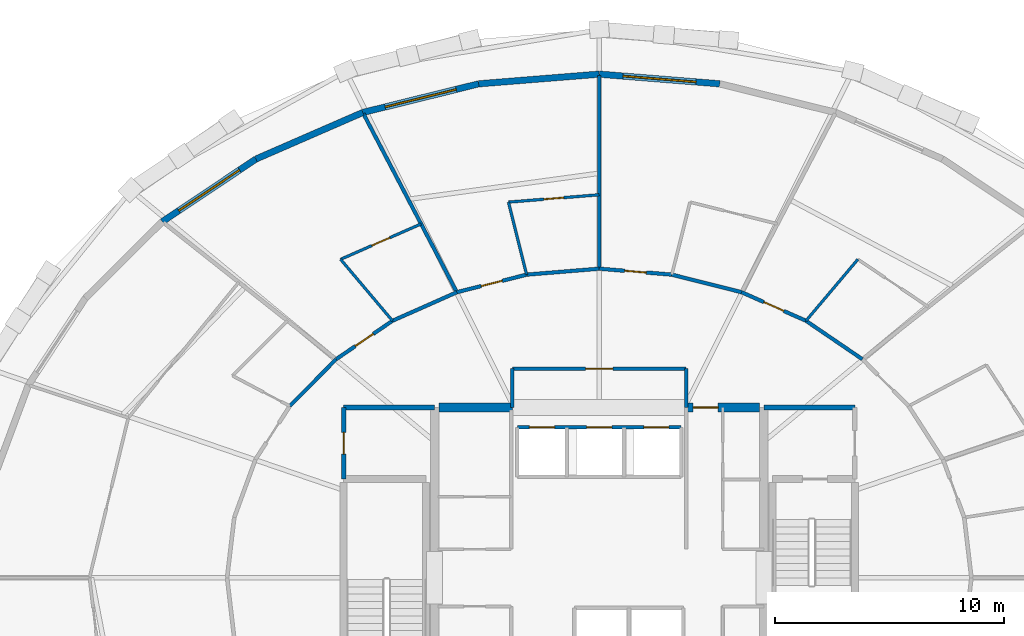
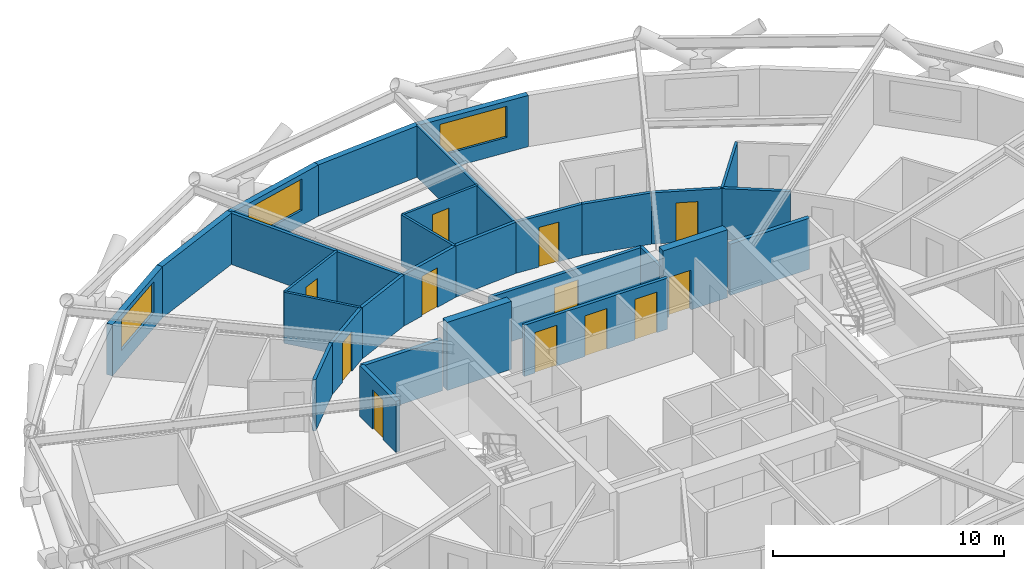
# One storey, part 16 of 20: 30 walls, 12 doors, 3 windows, 15 openings.
"""IFC4 building model written with IfcOpenShell, lengths in metres."""

import ifcopenshell
import ifcopenshell.guid

model = None  # the IFC model being written
_history = None  # IfcOwnerHistory: only IFC2X3 demands one
_inside = {}  # id of a spatial element -> (the spatial element, [elements in it])
_under = {}  # id of a project, library or spatial element -> (it, [spatial elements below it])
_declared = {}  # id of a project -> (the project, [libraries it declares])
_typed = {}  # id of a type object -> (the type object, [elements of that type])
_made_of = {}  # id of a material, layer set ... -> (it, [elements and type objects made of it])


def new_model(schema):
    """Start an empty IFC model of exactly this schema.

    Asked for "IFC4X3", IfcOpenShell would pick the latest addendum, in which some entities
    have other attributes; the version numbers below select the first issue.
    IFC2X3 requires an IfcOwnerHistory on every rooted entity: one is made here for all.
    """
    global model, _history
    if schema == "IFC4X3":
        model = ifcopenshell.file(schema_version=(4, 3, 0, 0))
    else:
        model = ifcopenshell.file(schema=schema)
    _inside.clear()
    _under.clear()
    _declared.clear()
    _typed.clear()
    _made_of.clear()
    _history = None
    if model.schema == "IFC2X3":
        org = make("IfcOrganization", Name="unknown")
        user = make(
            "IfcPersonAndOrganization",
            ThePerson=make("IfcPerson", FamilyName="unknown"),
            TheOrganization=org,
        )
        app = make(
            "IfcApplication",
            ApplicationDeveloper=org,
            Version="unknown",
            ApplicationFullName="unknown",
            ApplicationIdentifier="unknown",
        )
        _history = make(
            "IfcOwnerHistory",
            OwningUser=user,
            OwningApplication=app,
            ChangeAction="ADDED",
            CreationDate=0,
        )
    return model


def make(cls, **values):
    """One entity of the class cls with the attributes given. An attribute that is None is left unset."""
    return model.create_entity(
        cls, **{name: value for name, value in values.items() if value is not None}
    )


def rooted(cls, **values):
    """An entity with a GlobalId (a new one), such as an element, a storey or a relation."""
    return make(cls, GlobalId=ifcopenshell.guid.new(), OwnerHistory=_history, **values)


def si_unit(unit_type, name, prefix=None):
    """IfcSIUnit, for example si_unit("LENGTHUNIT", "METRE", prefix="MILLI")."""
    return make("IfcSIUnit", UnitType=unit_type, Prefix=prefix, Name=name)


def assignment(units):
    """IfcUnitAssignment: the units of a project."""
    return None if units is None else make("IfcUnitAssignment", Units=units)


def point(xyz):
    """IfcCartesianPoint."""
    return None if xyz is None else make("IfcCartesianPoint", Coordinates=xyz)


def direction(xyz):
    """IfcDirection."""
    return None if xyz is None else make("IfcDirection", DirectionRatios=xyz)


def frame(location, z_axis=None, x_axis=None):
    """IfcAxis2Placement3D, a coordinate frame: its origin and axes. An axis left out is left unset."""
    return make(
        "IfcAxis2Placement3D",
        Location=point(location),
        Axis=direction(z_axis),
        RefDirection=direction(x_axis),
    )


def frame_2d(location, x_axis=None):
    """IfcAxis2Placement2D, a coordinate frame in the plane: its origin and x axis."""
    return make(
        "IfcAxis2Placement2D", Location=point(location), RefDirection=direction(x_axis)
    )


def origin():
    """The frame at (0, 0, 0) with its axes left unset."""
    return frame((0.0, 0.0, 0.0))


def place(relative_to, where):
    """IfcLocalPlacement: puts the frame where relative to a parent placement (None: the world)."""
    return make(
        "IfcLocalPlacement", PlacementRelTo=relative_to, RelativePlacement=where
    )


def context(
    kind, dimensions, precision=None, world=None, true_north=None, identifier=None
):
    """IfcGeometricRepresentationContext, for example the 3D "Model" context."""
    return make(
        "IfcGeometricRepresentationContext",
        ContextIdentifier=identifier,
        ContextType=kind,
        CoordinateSpaceDimension=dimensions,
        Precision=precision,
        WorldCoordinateSystem=world,
        TrueNorth=true_north,
    )


def subcontext(parent, identifier, kind, view, scale=None):
    """IfcGeometricRepresentationSubContext, for example "Body" below "Model"."""
    return make(
        "IfcGeometricRepresentationSubContext",
        ContextIdentifier=identifier,
        ContextType=kind,
        ParentContext=parent,
        TargetScale=scale,
        TargetView=view,
    )


def project(units=None, contexts=None):
    """IfcProject with its units and contexts."""
    return rooted(
        "IfcProject",
        Name="project",
        RepresentationContexts=contexts,
        UnitsInContext=assignment(units),
    )


def spatial(cls, under=None, at=None, **own):
    """A site, building, storey or space (cls), placed at a placement, below another one or the project."""
    s = rooted(cls, ObjectPlacement=at, **own)
    if under is not None:
        _under.setdefault(under.id(), (under, []))[1].append(s)
    return s


def profile(cls, at=None, kind="AREA", **sizes):
    """A parametric profile (cls). Its sizes go by their IFC names, for example OverallWidth=200.0."""
    return make(cls, ProfileType=kind, Position=at, **sizes)


def rectangle(**sizes):
    """IfcRectangleProfileDef."""
    return profile("IfcRectangleProfileDef", **sizes)


def extrude(swept, where, along, depth):
    """IfcExtrudedAreaSolid: the profile swept, set in the frame where, extruded along a direction by depth."""
    return make(
        "IfcExtrudedAreaSolid",
        SweptArea=swept,
        Position=where,
        ExtrudedDirection=direction(along),
        Depth=depth,
    )


def shape(context_of_items, identifier, shape_type, items):
    """IfcShapeRepresentation: the items that make up one representation, for example the "Body"."""
    return make(
        "IfcShapeRepresentation",
        ContextOfItems=context_of_items,
        RepresentationIdentifier=identifier,
        RepresentationType=shape_type,
        Items=items,
    )


def material(Name=None, Category=None):
    """IfcMaterial."""
    return make("IfcMaterial", Name=Name, Category=Category)


def layer(
    of_material, thickness, ventilated=None, Name=None, Category=None, Priority=None
):
    """IfcMaterialLayer: one layer of a wall or slab, of a material (None: an air gap)."""
    return make(
        "IfcMaterialLayer",
        Material=of_material,
        LayerThickness=thickness,
        IsVentilated=ventilated,
        Name=Name,
        Category=Category,
        Priority=Priority,
    )


def layer_set(layers, Name=None):
    """IfcMaterialLayerSet."""
    return make("IfcMaterialLayerSet", MaterialLayers=layers, LayerSetName=Name)


def made_of(thing, what):
    """Note that an element or type object is made of a material, layer set ...; save() writes the relation."""
    if what is not None:
        _made_of.setdefault(what.id(), (what, []))[1].append(thing)
    return thing


def type_object(cls, material=None, **own):
    """A type object (cls), such as IfcWallType, which elements share."""
    return made_of(rooted(cls, **own), material)


def element(
    cls,
    number,
    at=None,
    inside=None,
    cuts=None,
    type_object=None,
    material=None,
    context=None,
    identifier="Body",
    shape_type=None,
    held_by="IfcProductDefinitionShape",
    body=None,
    shapes=None,
    **own,
):
    """One element of the class cls, such as IfcWall. Its Tag is "e" and its number.

    at: its placement. inside: the storey or other place that contains it. cuts: it is an
    opening in that element (IfcRelVoidsElement). A single representation is given by context,
    identifier, shape_type and body (its items); several are given by shapes. held_by: the class
    of the entity that holds the representations. save() writes the other relations.
    """
    e = rooted(cls, Tag="e%d" % number, ObjectPlacement=at, **own)
    if body is not None:
        shapes = [shape(context, identifier, shape_type, body)]
    if shapes is not None:
        e.Representation = make(held_by, Representations=shapes)
    if inside is not None:
        _inside.setdefault(inside.id(), (inside, []))[1].append(e)
    if cuts is not None:
        rooted(
            "IfcRelVoidsElement", RelatingBuildingElement=cuts, RelatedOpeningElement=e
        )
    if type_object is not None:
        _typed.setdefault(type_object.id(), (type_object, []))[1].append(e)
    return made_of(e, material)


def fill(opening, filler):
    """IfcRelFillsElement: the door or window that sits in an opening."""
    return rooted(
        "IfcRelFillsElement",
        RelatingOpeningElement=opening,
        RelatedBuildingElement=filler,
    )


def aggregate(whole, parts):
    """IfcRelAggregates: a whole, such as a stair, and the parts it consists of."""
    return rooted("IfcRelAggregates", RelatingObject=whole, RelatedObjects=parts)


def save(model, path):
    """Write the relations noted so far, then the file.

    IfcRelAggregates (storeys below a building ...), IfcRelContainedInSpatialStructure (elements
    in a storey), IfcRelDefinesByType, IfcRelAssociatesMaterial and IfcRelDeclares: one each for
    every whole, place, type object, material and project.
    """
    for whole, parts in _under.values():
        aggregate(whole, parts)
    for where, things in _inside.values():
        rooted(
            "IfcRelContainedInSpatialStructure",
            RelatedElements=things,
            RelatingStructure=where,
        )
    for kind, things in _typed.values():
        rooted("IfcRelDefinesByType", RelatedObjects=things, RelatingType=kind)
    for what, things in _made_of.values():
        rooted("IfcRelAssociatesMaterial", RelatedObjects=things, RelatingMaterial=what)
    for by, libraries in _declared.values():
        rooted("IfcRelDeclares", RelatingContext=by, RelatedDefinitions=libraries)
    model.write(path)


model = new_model("IFC4")

# Units and contexts
model_context = context("Model", 3, precision=1e-05, world=origin(), true_north=direction((0.0, 1.0)))
body_context = subcontext(model_context, "Body", "Model", "MODEL_VIEW")
ifc_project = project(units=[si_unit("LENGTHUNIT", "METRE"), si_unit("AREAUNIT", "SQUARE_METRE"), si_unit("VOLUMEUNIT", "CUBIC_METRE"), si_unit("PLANEANGLEUNIT", "RADIAN"), si_unit("MASSUNIT", "GRAM", prefix="KILO")], contexts=[model_context])

# Site, building, storey
site_placement = place(None, origin())
site = spatial("IfcSite", under=ifc_project, at=site_placement, CompositionType="ELEMENT")
building_placement = place(site_placement, origin())
building = spatial("IfcBuilding", under=site, at=building_placement, Name="Veldorina Hangang Commons", CompositionType="ELEMENT")
storey_placement = place(building_placement, frame((0.0, 0.0, 84.39990234375)))
storey = spatial("IfcBuildingStorey", under=building, at=storey_placement, Name="L21", CompositionType="ELEMENT", Elevation=84.39990234375)

# Wall
ifc_material_1 = material(Name="Concrete C70/85", Category="concrete")
ifc_layer_1 = layer(ifc_material_1, 0.3798828125)
ifc_layer_set_1 = layer_set([ifc_layer_1], Name="Concrete C70/85")
wall_type_1 = type_object("IfcWallType", Name="CW-RC380-C70", PredefinedType="SHEAR", material=ifc_layer_set_1)
wall_1_placement = place(storey_placement, frame((24.989990234375, 31.449951171875, 0.0), z_axis=(0.0, 0.0, 1.0), x_axis=(1.0, 0.0, 0.0)))
element("IfcWall", 1, at=wall_1_placement, inside=storey, type_object=wall_type_1, Name="L21 north-west core shear wall", PredefinedType="SHEAR", context=body_context, shape_type="SweptSolid", body=[
    extrude(rectangle(XDim=3.2099609375, YDim=0.3798828125, at=frame_2d((1.60498046875, 0.0))), origin(), (0.0, 0.0, 1.0), 3.60009765625),
])

# Wall, opening, door
wall_2_placement = place(storey_placement, frame((35.800048828125, 31.449951171875, 0.0), z_axis=(0.0, 0.0, 1.0), x_axis=(1.0, 0.0, 0.0)))
wall_2 = element("IfcWall", 2, at=wall_2_placement, inside=storey, type_object=wall_type_1, Name="L21 north-east core shear wall", PredefinedType="SHEAR", context=body_context, shape_type="SweptSolid", body=[
    extrude(rectangle(XDim=3.2099609375, YDim=0.3798828125, at=frame_2d((1.60498046875, 0.0))), origin(), (0.0, 0.0, 1.0), 3.60009765625),
])
opening_1_placement = place(wall_2_placement, frame((0.300048828125, 0.0, 0.0)))
opening_1 = element("IfcOpeningElement", 3, at=opening_1_placement, cuts=wall_2, Name="Opening D-08", PredefinedType="OPENING", context=body_context, shape_type="SweptSolid", body=[
    extrude(rectangle(XDim=1.10009765625, YDim=2.10009765625, at=frame_2d((0.550048828125, 1.050048828125))), frame((0.0, 0.199951171875, 0.0), z_axis=(0.0, -1.0, 0.0), x_axis=(1.0, 0.0, 0.0)), (0.0, 0.0, 1.0), 0.39990234375),
])
ifc_material_2 = material(Name="Steel Fire-Rated Smoke Seal", Category="steel")
door_type_1 = type_object("IfcDoorType", Name="DR-FIRE-1100", OperationType="SINGLE_SWING_RIGHT", PredefinedType="DOOR", material=ifc_material_2)
door_1_placement = place(opening_1_placement, origin())
door_1 = element("IfcDoor", 4, at=door_1_placement, inside=storey, type_object=door_type_1, Name="L21 central lift lobby north corridor door", OperationType="SINGLE_SWING_LEFT", OverallHeight=2.10009765625, OverallWidth=1.10009765625, PredefinedType="DOOR", context=body_context, shape_type="SweptSolid", body=[
    extrude(rectangle(XDim=1.10009765625, YDim=2.10009765625, at=frame_2d((0.550048828125, 1.050048828125))), frame((0.0, 0.02490234375, 0.0), z_axis=(0.0, -1.0, 0.0), x_axis=(1.0, 0.0, 0.0)), (0.0, 0.0, 1.0), 0.050048828125),
])
fill(opening_1, door_1)

# Wall, opening, window
ifc_material_3 = material(Name="Stone Roman Travertine", Category="masonry")
ifc_layer_2 = layer(ifc_material_3, 0.280029296875)
ifc_layer_set_2 = layer_set([ifc_layer_2], Name="Stone Roman Travertine")
wall_type_2 = type_object("IfcWallType", Name="EW-TRAV-280", PredefinedType="STANDARD", material=ifc_layer_set_2)
wall_3_placement = place(storey_placement, frame((37.27099609375, 45.60205078125, 0.0), z_axis=(0.0, 0.0, 1.0), x_axis=(-0.996790273468, 0.08005717157, 0.0)))
wall_3 = element("IfcWall", 5, at=wall_3_placement, inside=storey, type_object=wall_type_2, Name="L21 travertine facade wall 07", PredefinedType="STANDARD", context=body_context, shape_type="SweptSolid", body=[
    extrude(rectangle(XDim=5.2880859375, YDim=0.280029296875, at=frame_2d((2.64404296875, 0.0))), origin(), (0.0, 0.0, 1.0), 2.710205078125),
])
opening_2_placement = place(wall_3_placement, frame((1.0439453125, 0.0, 0.800048828125)))
opening_2 = element("IfcOpeningElement", 6, at=opening_2_placement, cuts=wall_3, Name="Opening W-01", PredefinedType="OPENING", context=body_context, shape_type="SweptSolid", body=[
    extrude(rectangle(XDim=3.199951171875, YDim=1.64990234375, at=frame_2d((1.60009765625, 0.824951171875))), frame((0.0, 0.14990234375, 0.0), z_axis=(0.0, -1.0, 0.0), x_axis=(1.0, 0.0, 0.0)), (0.0, 0.0, 1.0), 0.300048828125),
])
ifc_material_4 = material(Name="Glass Low-E Triple IGU", Category="glass")
window_type = type_object("IfcWindowType", Name="WIN-TWR-3200", PartitioningType="SINGLE_PANEL", PredefinedType="WINDOW", material=ifc_material_4)
window_1_placement = place(opening_2_placement, origin())
window_1 = element("IfcWindow", 7, at=window_1_placement, inside=storey, type_object=window_type, Name="L21 facade window 07", OverallHeight=1.64990234375, OverallWidth=3.199951171875, PartitioningType="SINGLE_PANEL", PredefinedType="WINDOW", context=body_context, shape_type="SweptSolid", body=[
    extrude(rectangle(XDim=3.199951171875, YDim=1.64990234375, at=frame_2d((1.60009765625, 0.824951171875))), frame((0.0, 0.030029296875, 0.0), z_axis=(0.0, -1.0, 0.0), x_axis=(1.0, 0.0, 0.0)), (0.0, 0.0, 1.0), 0.06005859375),
])
fill(opening_2, window_1)

# Wall
wall_4_placement = place(storey_placement, frame((32.0, 46.025390625, 0.0), z_axis=(0.0, 0.0, 1.0), x_axis=(-0.996790273468, -0.08005717157, 0.0)))
element("IfcWall", 8, at=wall_4_placement, inside=storey, type_object=wall_type_2, Name="L21 travertine facade wall 08", PredefinedType="STANDARD", context=body_context, shape_type="SweptSolid", body=[
    extrude(rectangle(XDim=5.2880859375, YDim=0.280029296875, at=frame_2d((2.64404296875, 0.0))), origin(), (0.0, 0.0, 1.0), 2.710205078125),
])

# Wall, opening, window
wall_5_placement = place(storey_placement, frame((26.72900390625, 45.60205078125, 0.0), z_axis=(0.0, 0.0, 1.0), x_axis=(-0.970758207565, -0.240059372749, 0.0)))
wall_5 = element("IfcWall", 9, at=wall_5_placement, inside=storey, type_object=wall_type_2, Name="L21 travertine facade wall 09", PredefinedType="STANDARD", context=body_context, shape_type="SweptSolid", body=[
    extrude(rectangle(XDim=5.22119140625, YDim=0.280029296875, at=frame_2d((2.610595703125, 0.0))), origin(), (0.0, 0.0, 1.0), 2.710205078125),
])
opening_3_placement = place(wall_5_placement, frame((1.010498046875, 0.0, 0.800048828125)))
opening_3 = element("IfcOpeningElement", 10, at=opening_3_placement, cuts=wall_5, Name="Opening W-01", PredefinedType="OPENING", context=body_context, shape_type="SweptSolid", body=[
    extrude(rectangle(XDim=3.199951171875, YDim=1.64990234375, at=frame_2d((1.60009765625, 0.824951171875))), frame((0.0, 0.14990234375, 0.0), z_axis=(0.0, -1.0, 0.0), x_axis=(1.0, 0.0, 0.0)), (0.0, 0.0, 1.0), 0.300048828125),
])
window_2_placement = place(opening_3_placement, origin())
window_2 = element("IfcWindow", 11, at=window_2_placement, inside=storey, type_object=window_type, Name="L21 facade window 09", OverallHeight=1.64990234375, OverallWidth=3.199951171875, PartitioningType="SINGLE_PANEL", PredefinedType="WINDOW", context=body_context, shape_type="SweptSolid", body=[
    extrude(rectangle(XDim=3.199951171875, YDim=1.64990234375, at=frame_2d((1.60009765625, 0.824951171875))), frame((0.0, 0.030029296875, 0.0), z_axis=(0.0, -1.0, 0.0), x_axis=(1.0, 0.0, 0.0)), (0.0, 0.0, 1.0), 0.06005859375),
])
fill(opening_3, window_2)

# Wall
wall_6_placement = place(storey_placement, frame((21.660400390625, 44.3486328125, 0.0), z_axis=(0.0, 0.0, 1.0), x_axis=(-0.916774249717, -0.399405777445, 0.0)))
element("IfcWall", 12, at=wall_6_placement, inside=storey, type_object=wall_type_2, Name="L21 travertine facade wall 10", PredefinedType="STANDARD", context=body_context, shape_type="SweptSolid", body=[
    extrude(rectangle(XDim=5.095458984375, YDim=0.280029296875, at=frame_2d((2.5478515625, 0.0))), origin(), (0.0, 0.0, 1.0), 2.710205078125),
])

# Wall, opening, window
wall_7_placement = place(storey_placement, frame((16.989013671875, 42.3134765625, 0.0), z_axis=(0.0, 0.0, 1.0), x_axis=(-0.831134194268, -0.55607189384, 0.0)))
wall_7 = element("IfcWall", 13, at=wall_7_placement, inside=storey, type_object=wall_type_2, Name="L21 travertine facade wall 11", PredefinedType="STANDARD", context=body_context, shape_type="SweptSolid", body=[
    extrude(rectangle(XDim=4.926025390625, YDim=0.280029296875, at=frame_2d((2.462890625, 0.0))), origin(), (0.0, 0.0, 1.0), 2.710205078125),
])
opening_4_placement = place(wall_7_placement, frame((0.863037109375, 0.0, 0.800048828125)))
opening_4 = element("IfcOpeningElement", 14, at=opening_4_placement, cuts=wall_7, Name="Opening W-01", PredefinedType="OPENING", context=body_context, shape_type="SweptSolid", body=[
    extrude(rectangle(XDim=3.199951171875, YDim=1.64990234375, at=frame_2d((1.60009765625, 0.824951171875))), frame((0.0, 0.14990234375, 0.0), z_axis=(0.0, -1.0, 0.0), x_axis=(1.0, 0.0, 0.0)), (0.0, 0.0, 1.0), 0.300048828125),
])
window_3_placement = place(opening_4_placement, origin())
window_3 = element("IfcWindow", 15, at=window_3_placement, inside=storey, type_object=window_type, Name="L21 facade window 11", OverallHeight=1.64990234375, OverallWidth=3.199951171875, PartitioningType="SINGLE_PANEL", PredefinedType="WINDOW", context=body_context, shape_type="SweptSolid", body=[
    extrude(rectangle(XDim=3.199951171875, YDim=1.64990234375, at=frame_2d((1.60009765625, 0.824951171875))), frame((0.0, 0.030029296875, 0.0), z_axis=(0.0, -1.0, 0.0), x_axis=(1.0, 0.0, 0.0)), (0.0, 0.0, 1.0), 0.06005859375),
])
fill(opening_4, window_3)

# Wall, openings, doors
ifc_material_5 = material(Name="Gypsum Fire-Rated Twin Stud Wall", Category="gypsum")
ifc_layer_3 = layer(ifc_material_5, 0.159912109375)
ifc_layer_set_3 = layer_set([ifc_layer_3], Name="Gypsum Fire-Rated Twin Stud Wall")
wall_type_3 = type_object("IfcWallType", Name="WL-FIRE-160", PredefinedType="SOLIDWALL", material=ifc_layer_set_3)
wall_8_placement = place(storey_placement, frame((28.419921875, 30.580078125, 0.0), z_axis=(0.0, 0.0, 1.0), x_axis=(1.0, 0.0, 0.0)))
wall_8 = element("IfcWall", 16, at=wall_8_placement, inside=storey, type_object=wall_type_3, Name="L21 Low-bank front shaft wall 015", PredefinedType="SOLIDWALL", context=body_context, shape_type="SweptSolid", body=[
    extrude(rectangle(XDim=7.16015625, YDim=0.159912109375, at=frame_2d((3.580078125, 0.0))), origin(), (0.0, 0.0, 1.0), 2.710205078125),
])
opening_5_placement = place(wall_8_placement, frame((0.530029296875, 0.0, 0.0)))
opening_5 = element("IfcOpeningElement", 17, at=opening_5_placement, cuts=wall_8, Name="Opening LD-01", PredefinedType="OPENING", context=body_context, shape_type="SweptSolid", body=[
    extrude(rectangle(XDim=1.10009765625, YDim=2.14990234375, at=frame_2d((0.550048828125, 1.074951171875))), frame((0.0, 0.08984375, 0.0), z_axis=(0.0, -1.0, 0.0), x_axis=(1.0, 0.0, 0.0)), (0.0, 0.0, 1.0), 0.179931640625),
])
opening_6_placement = place(wall_8_placement, frame((3.030029296875, 0.0, 0.0)))
opening_6 = element("IfcOpeningElement", 18, at=opening_6_placement, cuts=wall_8, Name="Opening LD-01", PredefinedType="OPENING", context=body_context, shape_type="SweptSolid", body=[
    extrude(rectangle(XDim=1.10009765625, YDim=2.14990234375, at=frame_2d((0.550048828125, 1.074951171875))), frame((0.0, 0.08984375, 0.0), z_axis=(0.0, -1.0, 0.0), x_axis=(1.0, 0.0, 0.0)), (0.0, 0.0, 1.0), 0.179931640625),
])
opening_7_placement = place(wall_8_placement, frame((5.530029296875, 0.0, 0.0)))
opening_7 = element("IfcOpeningElement", 19, at=opening_7_placement, cuts=wall_8, Name="Opening LD-01", PredefinedType="OPENING", context=body_context, shape_type="SweptSolid", body=[
    extrude(rectangle(XDim=1.10009765625, YDim=2.14990234375, at=frame_2d((0.550048828125, 1.074951171875))), frame((0.0, 0.08984375, 0.0), z_axis=(0.0, -1.0, 0.0), x_axis=(1.0, 0.0, 0.0)), (0.0, 0.0, 1.0), 0.179931640625),
])
ifc_material_6 = material(Name="Stainless Steel Brushed Lift Door", Category="steel")
door_type_2 = type_object("IfcDoorType", Name="DR-LIFT-1100", OperationType="SLIDING_TO_LEFT", PredefinedType="DOOR", material=ifc_material_6)
door_2_placement = place(opening_5_placement, origin())
door_2 = element("IfcDoor", 20, at=door_2_placement, inside=storey, type_object=door_type_2, Name="L21 Lift PL-L1 landing door 006", OperationType="SLIDING_TO_LEFT", OverallHeight=2.14990234375, OverallWidth=1.10009765625, PredefinedType="DOOR", context=body_context, shape_type="SweptSolid", body=[
    extrude(rectangle(XDim=1.10009765625, YDim=2.14990234375, at=frame_2d((0.550048828125, 1.074951171875))), frame((0.0, 0.02490234375, 0.0), z_axis=(0.0, -1.0, 0.0), x_axis=(1.0, 0.0, 0.0)), (0.0, 0.0, 1.0), 0.050048828125),
])
fill(opening_5, door_2)
door_3_placement = place(opening_6_placement, origin())
door_3 = element("IfcDoor", 21, at=door_3_placement, inside=storey, type_object=door_type_2, Name="L21 Lift PL-L2 landing door 007", OperationType="SLIDING_TO_LEFT", OverallHeight=2.14990234375, OverallWidth=1.10009765625, PredefinedType="DOOR", context=body_context, shape_type="SweptSolid", body=[
    extrude(rectangle(XDim=1.10009765625, YDim=2.14990234375, at=frame_2d((0.550048828125, 1.074951171875))), frame((0.0, 0.02490234375, 0.0), z_axis=(0.0, -1.0, 0.0), x_axis=(1.0, 0.0, 0.0)), (0.0, 0.0, 1.0), 0.050048828125),
])
fill(opening_6, door_3)
door_4_placement = place(opening_7_placement, origin())
door_4 = element("IfcDoor", 22, at=door_4_placement, inside=storey, type_object=door_type_2, Name="L21 Lift PL-L3 landing door 008", OperationType="SLIDING_TO_LEFT", OverallHeight=2.14990234375, OverallWidth=1.10009765625, PredefinedType="DOOR", context=body_context, shape_type="SweptSolid", body=[
    extrude(rectangle(XDim=1.10009765625, YDim=2.14990234375, at=frame_2d((0.550048828125, 1.074951171875))), frame((0.0, 0.02490234375, 0.0), z_axis=(0.0, -1.0, 0.0), x_axis=(1.0, 0.0, 0.0)), (0.0, 0.0, 1.0), 0.050048828125),
])
fill(opening_7, door_4)

# Walls
for number, where, z_axis, x_axis, name in (
    (23, (28.199951171875, 31.449951171875, 0.0), (0.0, 0.0, 1.0), (0.0, 1.0, 0.0), "L21 North lobby west wall 032"),
    (24, (35.800048828125, 31.449951171875, 0.0), (0.0, 0.0, 1.0), (0.0, 1.0, 0.0), "L21 North lobby east wall 033"),
):
    element("IfcWall", number, at=place(storey_placement, frame(where, z_axis=z_axis, x_axis=x_axis)), inside=storey, type_object=wall_type_3, Name=name, PredefinedType="SOLIDWALL", context=body_context, shape_type="SweptSolid", body=[
        extrude(rectangle(XDim=1.699951171875, YDim=0.159912109375, at=frame_2d((0.85009765625, 0.0))), origin(), (0.0, 0.0, 1.0), 2.710205078125),
    ])

# Wall, opening, door
wall_9_placement = place(storey_placement, frame((28.199951171875, 33.14990234375, 0.0), z_axis=(0.0, 0.0, 1.0), x_axis=(1.0, 0.0, 0.0)))
wall_9 = element("IfcWall", 25, at=wall_9_placement, inside=storey, type_object=wall_type_3, Name="L21 North lobby north wall 034", PredefinedType="SOLIDWALL", context=body_context, shape_type="SweptSolid", body=[
    extrude(rectangle(XDim=7.60009765625, YDim=0.159912109375, at=frame_2d((3.800048828125, 0.0))), origin(), (0.0, 0.0, 1.0), 2.710205078125),
])
opening_8_placement = place(wall_9_placement, frame((3.199951171875, 0.0, 0.0)))
opening_8 = element("IfcOpeningElement", 26, at=opening_8_placement, cuts=wall_9, Name="Opening D-09", PredefinedType="OPENING", context=body_context, shape_type="SweptSolid", body=[
    extrude(rectangle(XDim=1.199951171875, YDim=2.10009765625, at=frame_2d((0.60009765625, 1.050048828125))), frame((0.0, 0.08984375, 0.0), z_axis=(0.0, -1.0, 0.0), x_axis=(1.0, 0.0, 0.0)), (0.0, 0.0, 1.0), 0.179931640625),
])
ifc_material_7 = material(Name="Steel Fire-Rated Corridor Door", Category="steel")
door_type_3 = type_object("IfcDoorType", Name="DR-FIRE-1200", OperationType="SINGLE_SWING_LEFT", PredefinedType="DOOR", material=ifc_material_7)
door_5_placement = place(opening_8_placement, origin())
door_5 = element("IfcDoor", 27, at=door_5_placement, inside=storey, type_object=door_type_3, Name="L21 North lift lobby corridor door 012", OperationType="SINGLE_SWING_RIGHT", OverallHeight=2.10009765625, OverallWidth=1.199951171875, PredefinedType="DOOR", context=body_context, shape_type="SweptSolid", body=[
    extrude(rectangle(XDim=1.199951171875, YDim=2.10009765625, at=frame_2d((0.60009765625, 1.050048828125))), frame((0.0, 0.02490234375, 0.0), z_axis=(0.0, -1.0, 0.0), x_axis=(1.0, 0.0, 0.0)), (0.0, 0.0, 1.0), 0.050048828125),
])
fill(opening_8, door_5)

# Wall
wall_10_placement = place(storey_placement, frame((43.507568359375, 33.55859375, 0.0), z_axis=(0.0, 0.0, 1.0), x_axis=(-0.826293096206, 0.56324037423, 0.0)))
element("IfcWall", 28, at=wall_10_placement, inside=storey, type_object=wall_type_3, Name="L21 Corridor outer wall 04 051", PredefinedType="SOLIDWALL", context=body_context, shape_type="SweptSolid", body=[
    extrude(rectangle(XDim=2.98486328125, YDim=0.159912109375, at=frame_2d((1.492431640625, 0.0))), origin(), (0.0, 0.0, 1.0), 2.710205078125),
])

# Wall, opening, door
wall_11_placement = place(storey_placement, frame((41.041259765625, 35.23974609375, 0.0), z_axis=(0.0, 0.0, 1.0), x_axis=(-0.913952123493, 0.405822024984, 0.0)))
wall_11 = element("IfcWall", 29, at=wall_11_placement, inside=storey, type_object=wall_type_3, Name="L21 Corridor outer wall 05 052", PredefinedType="SOLIDWALL", context=body_context, shape_type="SweptSolid", body=[
    extrude(rectangle(XDim=3.078369140625, YDim=0.159912109375, at=frame_2d((1.5390625, 0.0))), origin(), (0.0, 0.0, 1.0), 2.710205078125),
])
opening_9_placement = place(wall_11_placement, frame((1.064208984375, 0.0, 0.0)))
opening_9 = element("IfcOpeningElement", 30, at=opening_9_placement, cuts=wall_11, Name="Opening D-03", PredefinedType="OPENING", context=body_context, shape_type="SweptSolid", body=[
    extrude(rectangle(XDim=0.949951171875, YDim=2.10009765625, at=frame_2d((0.47509765625, 1.050048828125))), frame((0.0, 0.08984375, 0.0), z_axis=(0.0, -1.0, 0.0), x_axis=(1.0, 0.0, 0.0)), (0.0, 0.0, 1.0), 0.179931640625),
])
ifc_material_8 = material(Name="Timber Fire-Rated Entrance Core", Category="wood")
door_type_4 = type_object("IfcDoorType", Name="DR-UNIT-950", OperationType="SINGLE_SWING_RIGHT", PredefinedType="DOOR", material=ifc_material_8)
door_6_placement = place(opening_9_placement, origin())
door_6 = element("IfcDoor", 31, at=door_6_placement, inside=storey, type_object=door_type_4, Name="L21 Studio 6 entrance door 030", OperationType="SINGLE_SWING_RIGHT", OverallHeight=2.10009765625, OverallWidth=0.949951171875, PredefinedType="DOOR", context=body_context, shape_type="SweptSolid", body=[
    extrude(rectangle(XDim=0.949951171875, YDim=2.10009765625, at=frame_2d((0.47509765625, 1.050048828125))), frame((0.0, 0.02490234375, 0.0), z_axis=(0.0, -1.0, 0.0), x_axis=(1.0, 0.0, 0.0)), (0.0, 0.0, 1.0), 0.050048828125),
])
fill(opening_9, door_6)

# Wall
wall_12_placement = place(storey_placement, frame((38.227783203125, 36.489013671875, 0.0), z_axis=(0.0, 0.0, 1.0), x_axis=(-0.969689238064, 0.244341526521, 0.0)))
element("IfcWall", 32, at=wall_12_placement, inside=storey, type_object=wall_type_3, Name="L21 Corridor outer wall 06 053", PredefinedType="SOLIDWALL", context=body_context, shape_type="SweptSolid", body=[
    extrude(rectangle(XDim=3.1484375, YDim=0.159912109375, at=frame_2d((1.57421875, 0.0))), origin(), (0.0, 0.0, 1.0), 2.710205078125),
])

# Wall, opening, door
wall_13_placement = place(storey_placement, frame((35.1748046875, 37.25830078125, 0.0), z_axis=(0.0, 0.0, 1.0), x_axis=(-0.996669377538, 0.081548463373, 0.0)))
wall_13 = element("IfcWall", 33, at=wall_13_placement, inside=storey, type_object=wall_type_3, Name="L21 Corridor outer wall 07 054", PredefinedType="SOLIDWALL", context=body_context, shape_type="SweptSolid", body=[
    extrude(rectangle(XDim=3.185302734375, YDim=0.159912109375, at=frame_2d((1.5927734375, 0.0))), origin(), (0.0, 0.0, 1.0), 2.710205078125),
])
opening_10_placement = place(wall_13_placement, frame((1.117919921875, 0.0, 0.0)))
opening_10 = element("IfcOpeningElement", 34, at=opening_10_placement, cuts=wall_13, Name="Opening D-03", PredefinedType="OPENING", context=body_context, shape_type="SweptSolid", body=[
    extrude(rectangle(XDim=0.949951171875, YDim=2.10009765625, at=frame_2d((0.47509765625, 1.050048828125))), frame((0.0, 0.08984375, 0.0), z_axis=(0.0, -1.0, 0.0), x_axis=(1.0, 0.0, 0.0)), (0.0, 0.0, 1.0), 0.179931640625),
])
door_7_placement = place(opening_10_placement, origin())
door_7 = element("IfcDoor", 35, at=door_7_placement, inside=storey, type_object=door_type_4, Name="L21 Studio 7 entrance door 032", OperationType="SINGLE_SWING_RIGHT", OverallHeight=2.10009765625, OverallWidth=0.949951171875, PredefinedType="DOOR", context=body_context, shape_type="SweptSolid", body=[
    extrude(rectangle(XDim=0.949951171875, YDim=2.10009765625, at=frame_2d((0.47509765625, 1.050048828125))), frame((0.0, 0.02490234375, 0.0), z_axis=(0.0, -1.0, 0.0), x_axis=(1.0, 0.0, 0.0)), (0.0, 0.0, 1.0), 0.050048828125),
])
fill(opening_10, door_7)

# Wall
wall_14_placement = place(storey_placement, frame((32.0, 37.51806640625, 0.0), z_axis=(0.0, 0.0, 1.0), x_axis=(-0.996669377538, -0.081548463373, 0.0)))
element("IfcWall", 36, at=wall_14_placement, inside=storey, type_object=wall_type_3, Name="L21 Corridor outer wall 08 055", PredefinedType="SOLIDWALL", context=body_context, shape_type="SweptSolid", body=[
    extrude(rectangle(XDim=3.185302734375, YDim=0.159912109375, at=frame_2d((1.5927734375, 0.0))), origin(), (0.0, 0.0, 1.0), 2.710205078125),
])

# Wall, opening, door
wall_15_placement = place(storey_placement, frame((28.8251953125, 37.25830078125, 0.0), z_axis=(0.0, 0.0, 1.0), x_axis=(-0.969689238064, -0.244341526521, 0.0)))
wall_15 = element("IfcWall", 37, at=wall_15_placement, inside=storey, type_object=wall_type_3, Name="L21 Corridor outer wall 09 056", PredefinedType="SOLIDWALL", context=body_context, shape_type="SweptSolid", body=[
    extrude(rectangle(XDim=3.1484375, YDim=0.159912109375, at=frame_2d((1.57421875, 0.0))), origin(), (0.0, 0.0, 1.0), 2.710205078125),
])
opening_11_placement = place(wall_15_placement, frame((1.09912109375, 0.0, 0.0)))
opening_11 = element("IfcOpeningElement", 38, at=opening_11_placement, cuts=wall_15, Name="Opening D-03", PredefinedType="OPENING", context=body_context, shape_type="SweptSolid", body=[
    extrude(rectangle(XDim=0.949951171875, YDim=2.10009765625, at=frame_2d((0.47509765625, 1.050048828125))), frame((0.0, 0.08984375, 0.0), z_axis=(0.0, -1.0, 0.0), x_axis=(1.0, 0.0, 0.0)), (0.0, 0.0, 1.0), 0.179931640625),
])
door_8_placement = place(opening_11_placement, origin())
door_8 = element("IfcDoor", 39, at=door_8_placement, inside=storey, type_object=door_type_4, Name="L21 Studio 8 entrance door 034", OperationType="SINGLE_SWING_RIGHT", OverallHeight=2.10009765625, OverallWidth=0.949951171875, PredefinedType="DOOR", context=body_context, shape_type="SweptSolid", body=[
    extrude(rectangle(XDim=0.949951171875, YDim=2.10009765625, at=frame_2d((0.47509765625, 1.050048828125))), frame((0.0, 0.02490234375, 0.0), z_axis=(0.0, -1.0, 0.0), x_axis=(1.0, 0.0, 0.0)), (0.0, 0.0, 1.0), 0.050048828125),
])
fill(opening_11, door_8)

# Wall
wall_16_placement = place(storey_placement, frame((25.772216796875, 36.489013671875, 0.0), z_axis=(0.0, 0.0, 1.0), x_axis=(-0.913952123493, -0.405822024984, 0.0)))
element("IfcWall", 40, at=wall_16_placement, inside=storey, type_object=wall_type_3, Name="L21 Corridor outer wall 10 057", PredefinedType="SOLIDWALL", context=body_context, shape_type="SweptSolid", body=[
    extrude(rectangle(XDim=3.078369140625, YDim=0.159912109375, at=frame_2d((1.5390625, 0.0))), origin(), (0.0, 0.0, 1.0), 2.710205078125),
])

# Wall, opening, door
wall_17_placement = place(storey_placement, frame((22.958740234375, 35.23974609375, 0.0), z_axis=(0.0, 0.0, 1.0), x_axis=(-0.826293096206, -0.56324037423, 0.0)))
wall_17 = element("IfcWall", 41, at=wall_17_placement, inside=storey, type_object=wall_type_3, Name="L21 Corridor outer wall 11 058", PredefinedType="SOLIDWALL", context=body_context, shape_type="SweptSolid", body=[
    extrude(rectangle(XDim=2.98486328125, YDim=0.159912109375, at=frame_2d((1.492431640625, 0.0))), origin(), (0.0, 0.0, 1.0), 2.710205078125),
])
opening_12_placement = place(wall_17_placement, frame((1.017333984375, 0.0, 0.0)))
opening_12 = element("IfcOpeningElement", 42, at=opening_12_placement, cuts=wall_17, Name="Opening D-03", PredefinedType="OPENING", context=body_context, shape_type="SweptSolid", body=[
    extrude(rectangle(XDim=0.949951171875, YDim=2.10009765625, at=frame_2d((0.47509765625, 1.050048828125))), frame((0.0, 0.08984375, 0.0), z_axis=(0.0, -1.0, 0.0), x_axis=(1.0, 0.0, 0.0)), (0.0, 0.0, 1.0), 0.179931640625),
])
door_9_placement = place(opening_12_placement, origin())
door_9 = element("IfcDoor", 43, at=door_9_placement, inside=storey, type_object=door_type_4, Name="L21 Studio 9 entrance door 036", OperationType="SINGLE_SWING_RIGHT", OverallHeight=2.10009765625, OverallWidth=0.949951171875, PredefinedType="DOOR", context=body_context, shape_type="SweptSolid", body=[
    extrude(rectangle(XDim=0.949951171875, YDim=2.10009765625, at=frame_2d((0.47509765625, 1.050048828125))), frame((0.0, 0.02490234375, 0.0), z_axis=(0.0, -1.0, 0.0), x_axis=(1.0, 0.0, 0.0)), (0.0, 0.0, 1.0), 0.050048828125),
])
fill(opening_12, door_9)

# Walls
wall_18_placement = place(storey_placement, frame((20.492431640625, 33.55859375, 0.0), z_axis=(0.0, 0.0, 1.0), x_axis=(-0.702811997, -0.711375636969, 0.0)))
element("IfcWall", 44, at=wall_18_placement, inside=storey, type_object=wall_type_3, Name="L21 Corridor outer wall 12 059", PredefinedType="SOLIDWALL", context=body_context, shape_type="SweptSolid", body=[
    extrude(rectangle(XDim=2.87939453125, YDim=0.159912109375, at=frame_2d((1.439697265625, 0.0))), origin(), (0.0, 0.0, 1.0), 2.710205078125),
])
wall_19_placement = place(storey_placement, frame((32.0, 37.51806640625, 0.0), z_axis=(0.0, 0.0, 1.0), x_axis=(0.0, 1.0, 0.0)))
element("IfcWall", 45, at=wall_19_placement, inside=storey, type_object=wall_type_3, Name="L21 Unit party wall 08 102", PredefinedType="SOLIDWALL", context=body_context, shape_type="SweptSolid", body=[
    extrude(rectangle(XDim=8.457275390625, YDim=0.159912109375, at=frame_2d((4.228515625, 0.0))), origin(), (0.0, 0.0, 1.0), 2.710205078125),
])
wall_20_placement = place(storey_placement, frame((25.772216796875, 36.489013671875, 0.0), z_axis=(0.0, 0.0, 1.0), x_axis=(-0.463546676058, 0.886072502178, 0.0)))
element("IfcWall", 46, at=wall_20_placement, inside=storey, type_object=wall_type_3, Name="L21 Unit party wall 10 105", PredefinedType="SOLIDWALL", context=body_context, shape_type="SweptSolid", body=[
    extrude(rectangle(XDim=8.8203125, YDim=0.159912109375, at=frame_2d((4.41015625, 0.0))), origin(), (0.0, 0.0, 1.0), 2.710205078125),
])
ifc_material_9 = material(Name="Concrete Blockwork Fire Wall C30/37", Category="masonry")
ifc_layer_4 = layer(ifc_material_9, 0.199951171875)
ifc_layer_set_4 = layer_set([ifc_layer_4], Name="Concrete Blockwork Fire Wall C30/37")
wall_type_4 = type_object("IfcWallType", Name="WL-FIRE-200", PredefinedType="SOLIDWALL", material=ifc_layer_set_4)
wall_21_placement = place(storey_placement, frame((39.199951171875, 31.449951171875, 0.0), z_axis=(0.0, 0.0, 1.0), x_axis=(1.0, 0.0, 0.0)))
element("IfcWall", 47, at=wall_21_placement, inside=storey, type_object=wall_type_4, Name="L21 East vestibule north wall 004", PredefinedType="SOLIDWALL", context=body_context, shape_type="SweptSolid", body=[
    extrude(rectangle(XDim=3.97998046875, YDim=0.199951171875, at=frame_2d((1.989990234375, 0.0))), origin(), (0.0, 0.0, 1.0), 2.710205078125),
])

# Wall, opening, door
wall_22_placement = place(storey_placement, frame((20.820068359375, 28.320068359375, 0.0), z_axis=(0.0, 0.0, 1.0), x_axis=(0.0, 1.0, 0.0)))
wall_22 = element("IfcWall", 48, at=wall_22_placement, inside=storey, type_object=wall_type_4, Name="L21 NW core room outer wall 005", PredefinedType="SOLIDWALL", context=body_context, shape_type="SweptSolid", body=[
    extrude(rectangle(XDim=3.1298828125, YDim=0.199951171875, at=frame_2d((1.56494140625, 0.0))), origin(), (0.0, 0.0, 1.0), 2.710205078125),
])
opening_13_placement = place(wall_22_placement, frame((1.090087890625, 0.0, 0.0)))
opening_13 = element("IfcOpeningElement", 49, at=opening_13_placement, cuts=wall_22, Name="Opening D-04", PredefinedType="OPENING", context=body_context, shape_type="SweptSolid", body=[
    extrude(rectangle(XDim=0.949951171875, YDim=2.10009765625, at=frame_2d((0.47509765625, 1.050048828125))), frame((0.0, 0.10986328125, 0.0), z_axis=(0.0, -1.0, 0.0), x_axis=(1.0, 0.0, 0.0)), (0.0, 0.0, 1.0), 0.219970703125),
])
ifc_material_10 = material(Name="Timber Accessible Flush Leaf", Category="wood")
door_type_5 = type_object("IfcDoorType", Name="DR-ACC-950", OperationType="SINGLE_SWING_LEFT", PredefinedType="DOOR", material=ifc_material_10)
door_10_placement = place(opening_13_placement, origin())
door_10 = element("IfcDoor", 50, at=door_10_placement, inside=storey, type_object=door_type_5, Name="L21 NW core WC door 003", OperationType="SINGLE_SWING_LEFT", OverallHeight=2.10009765625, OverallWidth=0.949951171875, PredefinedType="DOOR", context=body_context, shape_type="SweptSolid", body=[
    extrude(rectangle(XDim=0.949951171875, YDim=2.10009765625, at=frame_2d((0.47509765625, 1.050048828125))), frame((0.0, 0.02490234375, 0.0), z_axis=(0.0, -1.0, 0.0), x_axis=(1.0, 0.0, 0.0)), (0.0, 0.0, 1.0), 0.050048828125),
])
fill(opening_13, door_10)

# Walls
wall_23_placement = place(storey_placement, frame((20.820068359375, 31.449951171875, 0.0), z_axis=(0.0, 0.0, 1.0), x_axis=(1.0, 0.0, 0.0)))
element("IfcWall", 51, at=wall_23_placement, inside=storey, type_object=wall_type_4, Name="L21 NW core room north wall 006", PredefinedType="SOLIDWALL", context=body_context, shape_type="SweptSolid", body=[
    extrude(rectangle(XDim=3.97998046875, YDim=0.199951171875, at=frame_2d((1.989990234375, 0.0))), origin(), (0.0, 0.0, 1.0), 2.710205078125),
])
ifc_material_11 = material(Name="Gypsum Acoustic Stud Partition", Category="gypsum")
ifc_layer_5 = layer(ifc_material_11, 0.1201171875)
ifc_layer_set_5 = layer_set([ifc_layer_5], Name="Gypsum Acoustic Stud Partition")
wall_type_5 = type_object("IfcWallType", Name="WL-PART-120", PredefinedType="PARTITIONING", material=ifc_layer_set_5)
wall_24_placement = place(storey_placement, frame((41.041259765625, 35.23974609375, 0.0), z_axis=(0.0, 0.0, 1.0), x_axis=(0.644964696284, 0.764212366131, 0.0)))
element("IfcWall", 52, at=wall_24_placement, inside=storey, type_object=wall_type_5, Name="L21 Studio 6 bath side wall 098", PredefinedType="PARTITIONING", context=body_context, shape_type="SweptSolid", body=[
    extrude(rectangle(XDim=3.517333984375, YDim=0.1201171875, at=frame_2d((1.7587890625, 0.0))), origin(), (0.0, 0.0, 1.0), 2.710205078125),
])

# Wall, opening, door
wall_25_placement = place(storey_placement, frame((32.0, 40.750732421875, 0.0), z_axis=(0.0, 0.0, 1.0), x_axis=(-0.996733715321, -0.080758285904, 0.0)))
wall_25 = element("IfcWall", 53, at=wall_25_placement, inside=storey, type_object=wall_type_5, Name="L21 Studio 8 bath front wall 103", PredefinedType="PARTITIONING", context=body_context, shape_type="SweptSolid", body=[
    extrude(rectangle(XDim=3.984375, YDim=0.1201171875, at=frame_2d((1.9921875, 0.0))), origin(), (0.0, 0.0, 1.0), 2.710205078125),
])
opening_14_placement = place(wall_25_placement, frame((1.562255859375, 0.0, 0.0)))
opening_14 = element("IfcOpeningElement", 54, at=opening_14_placement, cuts=wall_25, Name="Opening D-01", PredefinedType="OPENING", context=body_context, shape_type="SweptSolid", body=[
    extrude(rectangle(XDim=0.860107421875, YDim=2.10009765625, at=frame_2d((0.43017578125, 1.050048828125))), frame((0.0, 0.070068359375, 0.0), z_axis=(0.0, -1.0, 0.0), x_axis=(1.0, 0.0, 0.0)), (0.0, 0.0, 1.0), 0.14013671875),
])
ifc_material_12 = material(Name="Timber Moisture-Resistant Core", Category="wood")
door_type_6 = type_object("IfcDoorType", Name="DR-WET-860", OperationType="SINGLE_SWING_LEFT", PredefinedType="DOOR", material=ifc_material_12)
door_11_placement = place(opening_14_placement, origin())
door_11 = element("IfcDoor", 55, at=door_11_placement, inside=storey, type_object=door_type_6, Name="L21 Studio 8 bathroom door 033", OperationType="SINGLE_SWING_LEFT", OverallHeight=2.10009765625, OverallWidth=0.860107421875, PredefinedType="DOOR", context=body_context, shape_type="SweptSolid", body=[
    extrude(rectangle(XDim=0.860107421875, YDim=2.10009765625, at=frame_2d((0.43017578125, 1.050048828125))), frame((0.0, 0.02490234375, 0.0), z_axis=(0.0, -1.0, 0.0), x_axis=(1.0, 0.0, 0.0)), (0.0, 0.0, 1.0), 0.050048828125),
])
fill(opening_14, door_11)

# Wall
wall_26_placement = place(storey_placement, frame((28.8251953125, 37.25830078125, 0.0), z_axis=(0.0, 0.0, 1.0), x_axis=(-0.243677606505, 0.969856290431, 0.0)))
element("IfcWall", 56, at=wall_26_placement, inside=storey, type_object=wall_type_5, Name="L21 Studio 8 bath side wall 104", PredefinedType="PARTITIONING", context=body_context, shape_type="SweptSolid", body=[
    extrude(rectangle(XDim=3.269287109375, YDim=0.1201171875, at=frame_2d((1.634765625, 0.0))), origin(), (0.0, 0.0, 1.0), 2.710205078125),
])

# Wall, opening, door
wall_27_placement = place(storey_placement, frame((24.209716796875, 39.4755859375, 0.0), z_axis=(0.0, 0.0, 1.0), x_axis=(-0.915386176675, -0.402576884026, 0.0)))
wall_27 = element("IfcWall", 57, at=wall_27_placement, inside=storey, type_object=wall_type_5, Name="L21 Studio 9 bath front wall 106", PredefinedType="PARTITIONING", context=body_context, shape_type="SweptSolid", body=[
    extrude(rectangle(XDim=3.844970703125, YDim=0.1201171875, at=frame_2d((1.92236328125, 0.0))), origin(), (0.0, 0.0, 1.0), 2.710205078125),
])
opening_15_placement = place(wall_27_placement, frame((1.492431640625, 0.0, 0.0)))
opening_15 = element("IfcOpeningElement", 58, at=opening_15_placement, cuts=wall_27, Name="Opening D-01", PredefinedType="OPENING", context=body_context, shape_type="SweptSolid", body=[
    extrude(rectangle(XDim=0.860107421875, YDim=2.10009765625, at=frame_2d((0.43017578125, 1.050048828125))), frame((0.0, 0.070068359375, 0.0), z_axis=(0.0, -1.0, 0.0), x_axis=(1.0, 0.0, 0.0)), (0.0, 0.0, 1.0), 0.14013671875),
])
door_12_placement = place(opening_15_placement, origin())
door_12 = element("IfcDoor", 59, at=door_12_placement, inside=storey, type_object=door_type_6, Name="L21 Studio 9 bathroom door 035", OperationType="SINGLE_SWING_LEFT", OverallHeight=2.10009765625, OverallWidth=0.860107421875, PredefinedType="DOOR", context=body_context, shape_type="SweptSolid", body=[
    extrude(rectangle(XDim=0.860107421875, YDim=2.10009765625, at=frame_2d((0.43017578125, 1.050048828125))), frame((0.0, 0.02490234375, 0.0), z_axis=(0.0, -1.0, 0.0), x_axis=(1.0, 0.0, 0.0)), (0.0, 0.0, 1.0), 0.050048828125),
])
fill(opening_15, door_12)

# Wall
wall_28_placement = place(storey_placement, frame((22.958740234375, 35.23974609375, 0.0), z_axis=(0.0, 0.0, 1.0), x_axis=(-0.644964696284, 0.764212366131, 0.0)))
element("IfcWall", 60, at=wall_28_placement, inside=storey, type_object=wall_type_5, Name="L21 Studio 9 bath side wall 107", PredefinedType="PARTITIONING", context=body_context, shape_type="SweptSolid", body=[
    extrude(rectangle(XDim=3.517333984375, YDim=0.1201171875, at=frame_2d((1.7587890625, 0.0))), origin(), (0.0, 0.0, 1.0), 2.710205078125),
])

save(model, "model.ifc")
